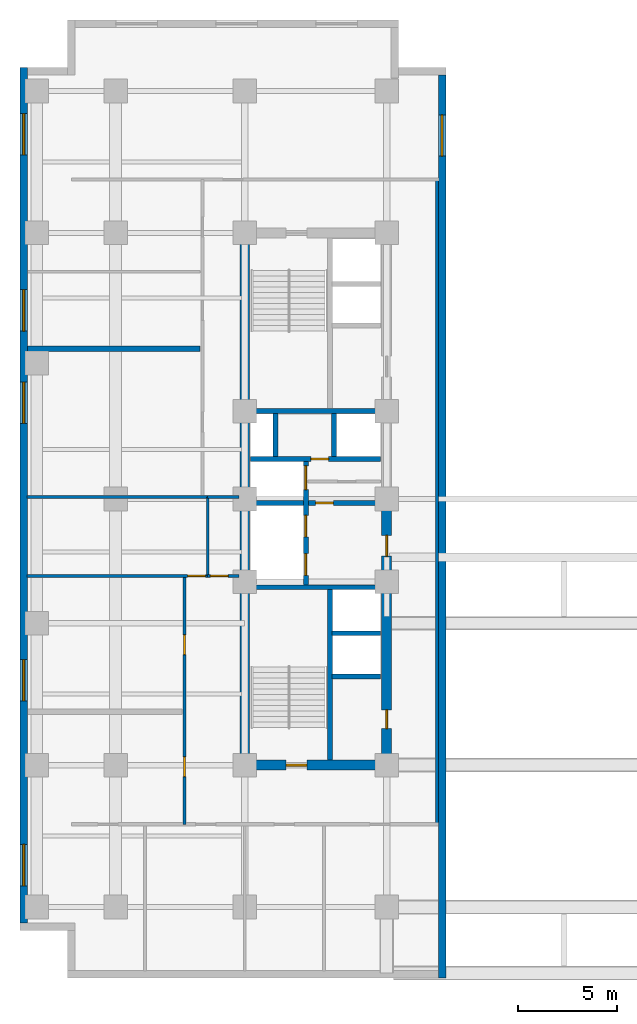
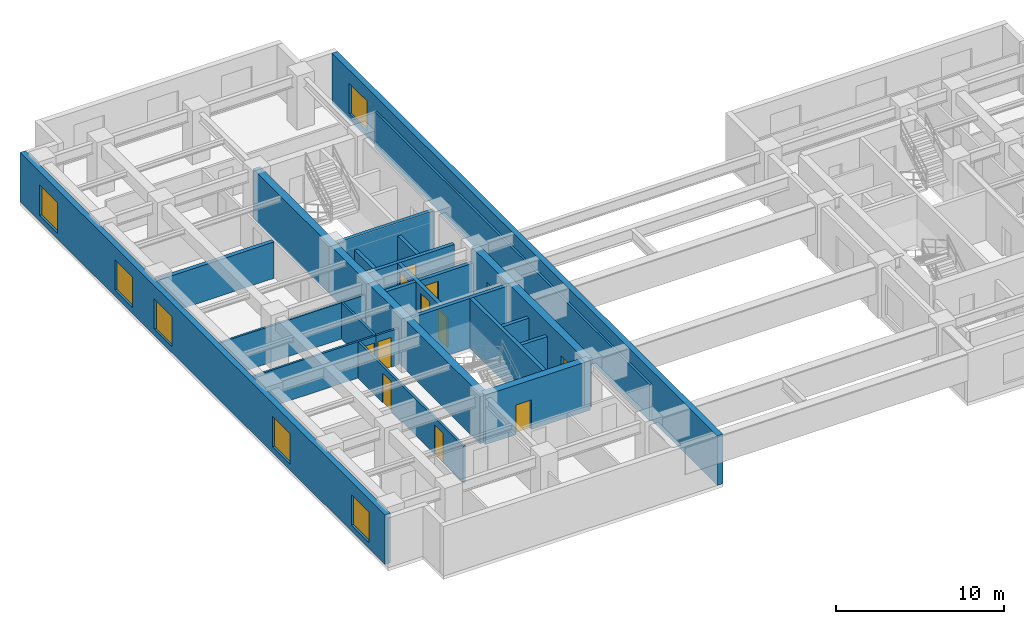
# One storey, part 3 of 9: 23 walls, 12 doors, 6 windows, 18 openings.
"""IFC4 building model written with IfcOpenShell, lengths in metres."""

import ifcopenshell
import ifcopenshell.guid

model = None  # the IFC model being written
_history = None  # IfcOwnerHistory: only IFC2X3 demands one
_inside = {}  # id of a spatial element -> (the spatial element, [elements in it])
_under = {}  # id of a project, library or spatial element -> (it, [spatial elements below it])
_declared = {}  # id of a project -> (the project, [libraries it declares])
_typed = {}  # id of a type object -> (the type object, [elements of that type])
_made_of = {}  # id of a material, layer set ... -> (it, [elements and type objects made of it])


def new_model(schema):
    """Start an empty IFC model of exactly this schema.

    Asked for "IFC4X3", IfcOpenShell would pick the latest addendum, in which some entities
    have other attributes; the version numbers below select the first issue.
    IFC2X3 requires an IfcOwnerHistory on every rooted entity: one is made here for all.
    """
    global model, _history
    if schema == "IFC4X3":
        model = ifcopenshell.file(schema_version=(4, 3, 0, 0))
    else:
        model = ifcopenshell.file(schema=schema)
    _inside.clear()
    _under.clear()
    _declared.clear()
    _typed.clear()
    _made_of.clear()
    _history = None
    if model.schema == "IFC2X3":
        org = make("IfcOrganization", Name="unknown")
        user = make(
            "IfcPersonAndOrganization",
            ThePerson=make("IfcPerson", FamilyName="unknown"),
            TheOrganization=org,
        )
        app = make(
            "IfcApplication",
            ApplicationDeveloper=org,
            Version="unknown",
            ApplicationFullName="unknown",
            ApplicationIdentifier="unknown",
        )
        _history = make(
            "IfcOwnerHistory",
            OwningUser=user,
            OwningApplication=app,
            ChangeAction="ADDED",
            CreationDate=0,
        )
    return model


def make(cls, **values):
    """One entity of the class cls with the attributes given. An attribute that is None is left unset."""
    return model.create_entity(
        cls, **{name: value for name, value in values.items() if value is not None}
    )


def entity(cls, *values):
    """Any entity or typed value of the class cls, its attributes in the order of the schema. None: left unset."""
    e = model.create_entity(cls)
    for i, value in enumerate(values):
        if value is not None:
            e[i] = value
    return e


def rooted(cls, **values):
    """An entity with a GlobalId (a new one), such as an element, a storey or a relation."""
    return make(cls, GlobalId=ifcopenshell.guid.new(), OwnerHistory=_history, **values)


def si_unit(unit_type, name, prefix=None):
    """IfcSIUnit, for example si_unit("LENGTHUNIT", "METRE", prefix="MILLI")."""
    return make("IfcSIUnit", UnitType=unit_type, Prefix=prefix, Name=name)


def converted_unit(unit_type, name, factor, base, dimensions=None, offset=None):
    """IfcConversionBasedUnit, such as the inch: factor (a typed value) times the base unit."""
    return make(
        "IfcConversionBasedUnit"
        if offset is None
        else "IfcConversionBasedUnitWithOffset",
        ConversionOffset=offset,
        Dimensions=None
        if dimensions is None
        else entity("IfcDimensionalExponents", *dimensions),
        UnitType=unit_type,
        Name=name,
        ConversionFactor=make(
            "IfcMeasureWithUnit", ValueComponent=factor, UnitComponent=base
        ),
    )


def assignment(units):
    """IfcUnitAssignment: the units of a project."""
    return None if units is None else make("IfcUnitAssignment", Units=units)


def point(xyz):
    """IfcCartesianPoint."""
    return None if xyz is None else make("IfcCartesianPoint", Coordinates=xyz)


def direction(xyz):
    """IfcDirection."""
    return None if xyz is None else make("IfcDirection", DirectionRatios=xyz)


def frame(location, z_axis=None, x_axis=None):
    """IfcAxis2Placement3D, a coordinate frame: its origin and axes. An axis left out is left unset."""
    return make(
        "IfcAxis2Placement3D",
        Location=point(location),
        Axis=direction(z_axis),
        RefDirection=direction(x_axis),
    )


def frame_2d(location, x_axis=None):
    """IfcAxis2Placement2D, a coordinate frame in the plane: its origin and x axis."""
    return make(
        "IfcAxis2Placement2D", Location=point(location), RefDirection=direction(x_axis)
    )


def origin_with_axes():
    """The frame at (0, 0, 0) with the z axis (0, 0, 1) and the x axis (1, 0, 0) written out."""
    return frame((0.0, 0.0, 0.0), z_axis=(0.0, 0.0, 1.0), x_axis=(1.0, 0.0, 0.0))


def origin_2d_with_axis():
    """The frame at (0, 0) in the plane with the x axis (1, 0) written out."""
    return frame_2d((0.0, 0.0), x_axis=(1.0, 0.0))


def place(relative_to, where):
    """IfcLocalPlacement: puts the frame where relative to a parent placement (None: the world)."""
    return make(
        "IfcLocalPlacement", PlacementRelTo=relative_to, RelativePlacement=where
    )


def context(
    kind, dimensions, precision=None, world=None, true_north=None, identifier=None
):
    """IfcGeometricRepresentationContext, for example the 3D "Model" context."""
    return make(
        "IfcGeometricRepresentationContext",
        ContextIdentifier=identifier,
        ContextType=kind,
        CoordinateSpaceDimension=dimensions,
        Precision=precision,
        WorldCoordinateSystem=world,
        TrueNorth=true_north,
    )


def subcontext(parent, identifier, kind, view, scale=None):
    """IfcGeometricRepresentationSubContext, for example "Body" below "Model"."""
    return make(
        "IfcGeometricRepresentationSubContext",
        ContextIdentifier=identifier,
        ContextType=kind,
        ParentContext=parent,
        TargetScale=scale,
        TargetView=view,
    )


def project(units=None, contexts=None):
    """IfcProject with its units and contexts."""
    return rooted(
        "IfcProject",
        Name="project",
        RepresentationContexts=contexts,
        UnitsInContext=assignment(units),
    )


def spatial(cls, under=None, at=None, **own):
    """A site, building, storey or space (cls), placed at a placement, below another one or the project."""
    s = rooted(cls, ObjectPlacement=at, **own)
    if under is not None:
        _under.setdefault(under.id(), (under, []))[1].append(s)
    return s


def polyline(points):
    """IfcPolyline through the points."""
    return make("IfcPolyline", Points=[point(p) for p in points])


def profile(cls, at=None, kind="AREA", **sizes):
    """A parametric profile (cls). Its sizes go by their IFC names, for example OverallWidth=200.0."""
    return make(cls, ProfileType=kind, Position=at, **sizes)


def rectangle(**sizes):
    """IfcRectangleProfileDef."""
    return profile("IfcRectangleProfileDef", **sizes)


def outline(outer, holes=None, kind="AREA"):
    """IfcArbitraryClosedProfileDef: a profile drawn as a closed curve; with holes, ...WithVoids."""
    if holes is None:
        return make("IfcArbitraryClosedProfileDef", ProfileType=kind, OuterCurve=outer)
    return make(
        "IfcArbitraryProfileDefWithVoids",
        ProfileType=kind,
        OuterCurve=outer,
        InnerCurves=holes,
    )


def extrude(swept, where, along, depth):
    """IfcExtrudedAreaSolid: the profile swept, set in the frame where, extruded along a direction by depth."""
    return make(
        "IfcExtrudedAreaSolid",
        SweptArea=swept,
        Position=where,
        ExtrudedDirection=direction(along),
        Depth=depth,
    )


def shape(context_of_items, identifier, shape_type, items):
    """IfcShapeRepresentation: the items that make up one representation, for example the "Body"."""
    return make(
        "IfcShapeRepresentation",
        ContextOfItems=context_of_items,
        RepresentationIdentifier=identifier,
        RepresentationType=shape_type,
        Items=items,
    )


def material(Name=None, Category=None):
    """IfcMaterial."""
    return make("IfcMaterial", Name=Name, Category=Category)


def layer(
    of_material, thickness, ventilated=None, Name=None, Category=None, Priority=None
):
    """IfcMaterialLayer: one layer of a wall or slab, of a material (None: an air gap)."""
    return make(
        "IfcMaterialLayer",
        Material=of_material,
        LayerThickness=thickness,
        IsVentilated=ventilated,
        Name=Name,
        Category=Category,
        Priority=Priority,
    )


def layer_set(layers, Name=None):
    """IfcMaterialLayerSet."""
    return make("IfcMaterialLayerSet", MaterialLayers=layers, LayerSetName=Name)


def made_of(thing, what):
    """Note that an element or type object is made of a material, layer set ...; save() writes the relation."""
    if what is not None:
        _made_of.setdefault(what.id(), (what, []))[1].append(thing)
    return thing


def type_object(cls, material=None, **own):
    """A type object (cls), such as IfcWallType, which elements share."""
    return made_of(rooted(cls, **own), material)


def element(
    cls,
    number,
    at=None,
    inside=None,
    cuts=None,
    type_object=None,
    material=None,
    context=None,
    identifier="Body",
    shape_type=None,
    held_by="IfcProductDefinitionShape",
    body=None,
    shapes=None,
    **own,
):
    """One element of the class cls, such as IfcWall. Its Tag is "e" and its number.

    at: its placement. inside: the storey or other place that contains it. cuts: it is an
    opening in that element (IfcRelVoidsElement). A single representation is given by context,
    identifier, shape_type and body (its items); several are given by shapes. held_by: the class
    of the entity that holds the representations. save() writes the other relations.
    """
    e = rooted(cls, Tag="e%d" % number, ObjectPlacement=at, **own)
    if body is not None:
        shapes = [shape(context, identifier, shape_type, body)]
    if shapes is not None:
        e.Representation = make(held_by, Representations=shapes)
    if inside is not None:
        _inside.setdefault(inside.id(), (inside, []))[1].append(e)
    if cuts is not None:
        rooted(
            "IfcRelVoidsElement", RelatingBuildingElement=cuts, RelatedOpeningElement=e
        )
    if type_object is not None:
        _typed.setdefault(type_object.id(), (type_object, []))[1].append(e)
    return made_of(e, material)


def fill(opening, filler):
    """IfcRelFillsElement: the door or window that sits in an opening."""
    return rooted(
        "IfcRelFillsElement",
        RelatingOpeningElement=opening,
        RelatedBuildingElement=filler,
    )


def aggregate(whole, parts):
    """IfcRelAggregates: a whole, such as a stair, and the parts it consists of."""
    return rooted("IfcRelAggregates", RelatingObject=whole, RelatedObjects=parts)


def save(model, path):
    """Write the relations noted so far, then the file.

    IfcRelAggregates (storeys below a building ...), IfcRelContainedInSpatialStructure (elements
    in a storey), IfcRelDefinesByType, IfcRelAssociatesMaterial and IfcRelDeclares: one each for
    every whole, place, type object, material and project.
    """
    for whole, parts in _under.values():
        aggregate(whole, parts)
    for where, things in _inside.values():
        rooted(
            "IfcRelContainedInSpatialStructure",
            RelatedElements=things,
            RelatingStructure=where,
        )
    for kind, things in _typed.values():
        rooted("IfcRelDefinesByType", RelatedObjects=things, RelatingType=kind)
    for what, things in _made_of.values():
        rooted("IfcRelAssociatesMaterial", RelatedObjects=things, RelatingMaterial=what)
    for by, libraries in _declared.values():
        rooted("IfcRelDeclares", RelatingContext=by, RelatedDefinitions=libraries)
    model.write(path)


model = new_model("IFC4")

# Units and contexts
model_context = context("Model", 3, precision=1e-05, world=origin_with_axes(), true_north=direction((0.0, 1.0)))
body_context = subcontext(model_context, "Body", "Model", "MODEL_VIEW")
ifc_project = project(units=[si_unit("LENGTHUNIT", "METRE"), si_unit("AREAUNIT", "SQUARE_METRE"), si_unit("VOLUMEUNIT", "CUBIC_METRE"), converted_unit("PLANEANGLEUNIT", "DEGREE", entity("IfcPlaneAngleMeasure", 0.017453292519943295), si_unit("PLANEANGLEUNIT", "RADIAN"), dimensions=[0, 0, 0, 0, 0, 0, 0]), si_unit("MASSUNIT", "GRAM", prefix="KILO"), si_unit("THERMODYNAMICTEMPERATUREUNIT", "KELVIN")], contexts=[model_context])

# Site, building, storey
site_placement = place(None, origin_with_axes())
site = spatial("IfcSite", under=ifc_project, at=site_placement, CompositionType="ELEMENT")
building_placement = place(site_placement, origin_with_axes())
building = spatial("IfcBuilding", under=site, at=building_placement, Name="Varnlund Millrace Tower", CompositionType="ELEMENT")
storey_placement = place(building_placement, frame((0.0, 0.0, 120.3), z_axis=(0.0, 0.0, 1.0), x_axis=(1.0, 0.0, 0.0)))
storey = spatial("IfcBuildingStorey", under=building, at=storey_placement, Name="L29", CompositionType="ELEMENT", Elevation=120.3)

# Wall
ifc_material_1 = material(Name="Concrete C70/85", Category="concrete")
ifc_layer_1 = layer(ifc_material_1, 0.5, Name="Concrete C70/85")
ifc_layer_set_1 = layer_set([ifc_layer_1], Name="Concrete C70/85")
wall_type_1 = type_object("IfcWallType", Name="Type-CoreWall-Shear-500-C70", PredefinedType="SHEAR", material=ifc_layer_set_1)
wall_1_placement = place(storey_placement, frame((11.4, 10.8, 0.0), z_axis=(0.0, 0.0, 1.0), x_axis=(0.0, 1.0, 0.0)))
element("IfcWall", 1, at=wall_1_placement, inside=storey, type_object=wall_type_1, Name="Type-CoreWall-Shear-500-C70", PredefinedType="SHEAR", context=body_context, shape_type="SweptSolid", body=[
    extrude(outline(polyline([(0.0, -0.25), (27.0, -0.25), (27.0, 0.25), (0.0, 0.25), (0.0, -0.25)])), origin_with_axes(), (0.0, 0.0, 1.0), 3.6),
])

# Wall, opening, door
wall_2_placement = place(storey_placement, frame((11.4, 10.8, 0.0), z_axis=(0.0, 0.0, 1.0), x_axis=(1.0, 0.0, 0.0)))
wall_2 = element("IfcWall", 2, at=wall_2_placement, inside=storey, type_object=wall_type_1, Name="Type-CoreWall-Shear-500-C70", PredefinedType="SHEAR", context=body_context, shape_type="SweptSolid", body=[
    extrude(outline(polyline([(0.0, -0.25), (7.2, -0.25), (7.2, 0.25), (0.0, 0.25), (0.0, -0.25)])), origin_with_axes(), (0.0, 0.0, 1.0), 3.6),
])
opening_1_placement = place(wall_2_placement, frame((2.625, 0.0, 0.0), z_axis=(0.0, 0.0, 1.0), x_axis=(1.0, 0.0, 0.0)))
opening_1 = element("IfcOpeningElement", 3, at=opening_1_placement, cuts=wall_2, Name="Opening L29:DR-STA1", PredefinedType="OPENING", context=body_context, shape_type="SweptSolid", body=[
    extrude(rectangle(XDim=1.05, YDim=0.52, at=origin_2d_with_axis()), origin_with_axes(), (0.0, 0.0, 1.0), 2.15),
])
ifc_material_2 = material(Name="Fire-rated hollow steel door", Category="steel")
door_type_1 = type_object("IfcDoorType", Name="Type-FireDoor-Stair-1050X2150", OperationType="NOTDEFINED", PredefinedType="DOOR", material=ifc_material_2)
door_1_placement = place(wall_2_placement, frame((2.625, 0.0, 0.0), z_axis=(0.0, 0.0, 1.0), x_axis=(1.0, 0.0, 0.0)))
door_1 = element("IfcDoor", 4, at=door_1_placement, inside=storey, type_object=door_type_1, Name="Type-FireDoor-Stair-1050X2150", OperationType="SINGLE_SWING_LEFT", OverallHeight=2.15, OverallWidth=1.05, PredefinedType="DOOR", context=body_context, shape_type="SweptSolid", body=[
    extrude(rectangle(XDim=1.05, YDim=0.09, at=origin_2d_with_axis()), origin_with_axes(), (0.0, 0.0, 1.0), 2.15),
])
fill(opening_1, door_1)

# Wall, openings, doors
wall_3_placement = place(storey_placement, frame((18.6, 10.8, 0.0), z_axis=(0.0, 0.0, 1.0), x_axis=(0.0, 1.0, 0.0)))
wall_3 = element("IfcWall", 5, at=wall_3_placement, inside=storey, type_object=wall_type_1, Name="Type-CoreWall-Shear-500-C70", PredefinedType="SHEAR", context=body_context, shape_type="SweptSolid", body=[
    extrude(outline(polyline([(0.0, -0.25), (13.5, -0.25), (13.5, 0.25), (0.0, 0.25), (0.0, -0.25)])), origin_with_axes(), (0.0, 0.0, 1.0), 3.6),
])
opening_2_placement = place(wall_3_placement, frame((11.125, 0.0, 0.0), z_axis=(0.0, 0.0, 1.0), x_axis=(1.0, 0.0, 0.0)))
opening_2 = element("IfcOpeningElement", 6, at=opening_2_placement, cuts=wall_3, Name="Opening L29:DR-FFLOB-A", PredefinedType="OPENING", context=body_context, shape_type="SweptSolid", body=[
    extrude(rectangle(XDim=1.05, YDim=0.52, at=origin_2d_with_axis()), origin_with_axes(), (0.0, 0.0, 1.0), 2.15),
])
opening_3_placement = place(wall_3_placement, frame((2.325, 0.0, 0.0), z_axis=(0.0, 0.0, 1.0), x_axis=(1.0, 0.0, 0.0)))
opening_3 = element("IfcOpeningElement", 7, at=opening_3_placement, cuts=wall_3, Name="Opening L29:DR-RECL-B1", PredefinedType="OPENING", context=body_context, shape_type="SweptSolid", body=[
    extrude(rectangle(XDim=0.95, YDim=0.52, at=origin_2d_with_axis()), origin_with_axes(), (0.0, 0.0, 1.0), 2.15),
])
ifc_material_3 = material(Name="Smoke-barrier hollow steel fire door", Category="steel")
door_type_2 = type_object("IfcDoorType", Name="Type-FireDoor-Lobby-1050X2150", OperationType="NOTDEFINED", PredefinedType="DOOR", material=ifc_material_3)
door_2_placement = place(wall_3_placement, frame((11.125, 0.0, 0.0), z_axis=(0.0, 0.0, 1.0), x_axis=(1.0, 0.0, 0.0)))
door_2 = element("IfcDoor", 8, at=door_2_placement, inside=storey, type_object=door_type_2, Name="Type-FireDoor-Lobby-1050X2150", OperationType="SINGLE_SWING_LEFT", OverallHeight=2.15, OverallWidth=1.05, PredefinedType="DOOR", context=body_context, shape_type="SweptSolid", body=[
    extrude(rectangle(XDim=1.05, YDim=0.09, at=origin_2d_with_axis()), origin_with_axes(), (0.0, 0.0, 1.0), 2.15),
])
fill(opening_2, door_2)
ifc_material_4 = material(Name="Fire-rated hollow steel core service door", Category="steel")
door_type_3 = type_object("IfcDoorType", Name="Type-FireDoor-Service-950X2150", OperationType="NOTDEFINED", PredefinedType="DOOR", material=ifc_material_4)
door_3_placement = place(wall_3_placement, frame((2.325, 0.0, 0.0), z_axis=(0.0, 0.0, 1.0), x_axis=(1.0, 0.0, 0.0)))
door_3 = element("IfcDoor", 9, at=door_3_placement, inside=storey, type_object=door_type_3, Name="Type-FireDoor-Service-950X2150", OperationType="SINGLE_SWING_LEFT", OverallHeight=2.15, OverallWidth=0.95, PredefinedType="DOOR", context=body_context, shape_type="SweptSolid", body=[
    extrude(rectangle(XDim=0.95, YDim=0.09, at=origin_2d_with_axis()), origin_with_axes(), (0.0, 0.0, 1.0), 2.15),
])
fill(opening_3, door_3)

# Wall, openings, windows
ifc_material_5 = material(Name="Precast concrete C50/60", Category="concrete")
ifc_layer_2 = layer(ifc_material_5, 0.38, Name="Precast concrete C50/60")
ifc_layer_set_2 = layer_set([ifc_layer_2], Name="Precast concrete C50/60")
wall_type_2 = type_object("IfcWallType", Name="Type-ExtWall-Precast-Tube-380", PredefinedType="SOLIDWALL", material=ifc_layer_set_2)
wall_4_placement = place(storey_placement, frame((0.19, 2.78, 0.0), z_axis=(0.0, 0.0, 1.0), x_axis=(0.0, 1.0, 0.0)))
wall_4 = element("IfcWall", 10, at=wall_4_placement, inside=storey, type_object=wall_type_2, Name="Type-ExtWall-Precast-Tube-380", PredefinedType="SOLIDWALL", context=body_context, shape_type="SweptSolid", body=[
    extrude(outline(polyline([(0.0, -0.19), (43.42, -0.19), (43.42, 0.19), (0.0, 0.19), (0.0, -0.19)])), origin_with_axes(), (0.0, 0.0, 1.0), 3.6),
])
opening_4_placement = place(wall_4_placement, frame((2.946, 0.0, 0.45), z_axis=(0.0, 0.0, 1.0), x_axis=(1.0, 0.0, 0.0)))
opening_4 = element("IfcOpeningElement", 11, at=opening_4_placement, cuts=wall_4, Name="Opening L29:WN-01", PredefinedType="OPENING", context=body_context, shape_type="SweptSolid", body=[
    extrude(rectangle(XDim=2.1, YDim=0.4, at=origin_2d_with_axis()), origin_with_axes(), (0.0, 0.0, 1.0), 2.2),
])
opening_5_placement = place(wall_4_placement, frame((12.328, 0.0, 0.45), z_axis=(0.0, 0.0, 1.0), x_axis=(1.0, 0.0, 0.0)))
opening_5 = element("IfcOpeningElement", 12, at=opening_5_placement, cuts=wall_4, Name="Opening L29:WN-02", PredefinedType="OPENING", context=body_context, shape_type="SweptSolid", body=[
    extrude(rectangle(XDim=2.1, YDim=0.4, at=origin_2d_with_axis()), origin_with_axes(), (0.0, 0.0, 1.0), 2.2),
])
opening_6_placement = place(wall_4_placement, frame((26.401, 0.0, 0.45), z_axis=(0.0, 0.0, 1.0), x_axis=(1.0, 0.0, 0.0)))
opening_6 = element("IfcOpeningElement", 13, at=opening_6_placement, cuts=wall_4, Name="Opening L29:WN-03", PredefinedType="OPENING", context=body_context, shape_type="SweptSolid", body=[
    extrude(rectangle(XDim=2.1, YDim=0.4, at=origin_2d_with_axis()), origin_with_axes(), (0.0, 0.0, 1.0), 2.2),
])
opening_7_placement = place(wall_4_placement, frame((31.092, 0.0, 0.45), z_axis=(0.0, 0.0, 1.0), x_axis=(1.0, 0.0, 0.0)))
opening_7 = element("IfcOpeningElement", 14, at=opening_7_placement, cuts=wall_4, Name="Opening L29:WN-04", PredefinedType="OPENING", context=body_context, shape_type="SweptSolid", body=[
    extrude(rectangle(XDim=2.1, YDim=0.4, at=origin_2d_with_axis()), origin_with_axes(), (0.0, 0.0, 1.0), 2.2),
])
opening_8_placement = place(wall_4_placement, frame((40.024, 0.0, 0.45), z_axis=(0.0, 0.0, 1.0), x_axis=(1.0, 0.0, 0.0)))
opening_8 = element("IfcOpeningElement", 15, at=opening_8_placement, cuts=wall_4, Name="Opening L29:WN-05", PredefinedType="OPENING", context=body_context, shape_type="SweptSolid", body=[
    extrude(rectangle(XDim=2.1, YDim=0.4, at=origin_2d_with_axis()), origin_with_axes(), (0.0, 0.0, 1.0), 2.2),
])
ifc_material_6 = material(Name="Argon low-e triple glazing in thermally broken bronze frame", Category="glass")
window_type = type_object("IfcWindowType", Name="Type-Window-Punched-2100X2200", PartitioningType="SINGLE_PANEL", PredefinedType="WINDOW", material=ifc_material_6)
window_1_placement = place(wall_4_placement, frame((2.946, 0.0, 0.45), z_axis=(0.0, 0.0, 1.0), x_axis=(1.0, 0.0, 0.0)))
window_1 = element("IfcWindow", 16, at=window_1_placement, inside=storey, type_object=window_type, Name="Type-Window-Punched-2100X2200", OverallHeight=2.2, OverallWidth=2.1, PredefinedType="WINDOW", context=body_context, shape_type="SweptSolid", body=[
    extrude(rectangle(XDim=2.1, YDim=0.09, at=origin_2d_with_axis()), origin_with_axes(), (0.0, 0.0, 1.0), 2.2),
])
fill(opening_4, window_1)
window_2_placement = place(wall_4_placement, frame((12.328, 0.0, 0.45), z_axis=(0.0, 0.0, 1.0), x_axis=(1.0, 0.0, 0.0)))
window_2 = element("IfcWindow", 17, at=window_2_placement, inside=storey, type_object=window_type, Name="Type-Window-Punched-2100X2200", OverallHeight=2.2, OverallWidth=2.1, PredefinedType="WINDOW", context=body_context, shape_type="SweptSolid", body=[
    extrude(rectangle(XDim=2.1, YDim=0.09, at=origin_2d_with_axis()), origin_with_axes(), (0.0, 0.0, 1.0), 2.2),
])
fill(opening_5, window_2)
window_3_placement = place(wall_4_placement, frame((26.401, 0.0, 0.45), z_axis=(0.0, 0.0, 1.0), x_axis=(1.0, 0.0, 0.0)))
window_3 = element("IfcWindow", 18, at=window_3_placement, inside=storey, type_object=window_type, Name="Type-Window-Punched-2100X2200", OverallHeight=2.2, OverallWidth=2.1, PredefinedType="WINDOW", context=body_context, shape_type="SweptSolid", body=[
    extrude(rectangle(XDim=2.1, YDim=0.09, at=origin_2d_with_axis()), origin_with_axes(), (0.0, 0.0, 1.0), 2.2),
])
fill(opening_6, window_3)
window_4_placement = place(wall_4_placement, frame((31.092, 0.0, 0.45), z_axis=(0.0, 0.0, 1.0), x_axis=(1.0, 0.0, 0.0)))
window_4 = element("IfcWindow", 19, at=window_4_placement, inside=storey, type_object=window_type, Name="Type-Window-Punched-2100X2200", OverallHeight=2.2, OverallWidth=2.1, PredefinedType="WINDOW", context=body_context, shape_type="SweptSolid", body=[
    extrude(rectangle(XDim=2.1, YDim=0.09, at=origin_2d_with_axis()), origin_with_axes(), (0.0, 0.0, 1.0), 2.2),
])
fill(opening_7, window_4)
window_5_placement = place(wall_4_placement, frame((40.024, 0.0, 0.45), z_axis=(0.0, 0.0, 1.0), x_axis=(1.0, 0.0, 0.0)))
window_5 = element("IfcWindow", 20, at=window_5_placement, inside=storey, type_object=window_type, Name="Type-Window-Punched-2100X2200", OverallHeight=2.2, OverallWidth=2.1, PredefinedType="WINDOW", context=body_context, shape_type="SweptSolid", body=[
    extrude(rectangle(XDim=2.1, YDim=0.09, at=origin_2d_with_axis()), origin_with_axes(), (0.0, 0.0, 1.0), 2.2),
])
fill(opening_8, window_5)

# Wall, opening, window
wall_5_placement = place(storey_placement, frame((21.41, 45.82, 0.0), z_axis=(0.0, 0.0, 1.0), x_axis=(0.0, -1.0, 0.0)))
wall_5 = element("IfcWall", 21, at=wall_5_placement, inside=storey, type_object=wall_type_2, Name="Type-ExtWall-Precast-Tube-380", PredefinedType="SOLIDWALL", context=body_context, shape_type="SweptSolid", body=[
    extrude(outline(polyline([(0.0, -0.19), (45.82, -0.19), (45.82, 0.19), (0.0, 0.19), (0.0, -0.19)])), origin_with_axes(), (0.0, 0.0, 1.0), 3.6),
])
opening_9_placement = place(wall_5_placement, frame((3.079, 0.0, 0.45), z_axis=(0.0, 0.0, 1.0), x_axis=(1.0, 0.0, 0.0)))
opening_9 = element("IfcOpeningElement", 22, at=opening_9_placement, cuts=wall_5, Name="Opening L29:WN-09", PredefinedType="OPENING", context=body_context, shape_type="SweptSolid", body=[
    extrude(rectangle(XDim=2.1, YDim=0.4, at=origin_2d_with_axis()), origin_with_axes(), (0.0, 0.0, 1.0), 2.2),
])
window_6_placement = place(wall_5_placement, frame((3.079, 0.0, 0.45), z_axis=(0.0, 0.0, 1.0), x_axis=(1.0, 0.0, 0.0)))
window_6 = element("IfcWindow", 23, at=window_6_placement, inside=storey, type_object=window_type, Name="Type-Window-Punched-2100X2200", OverallHeight=2.2, OverallWidth=2.1, PredefinedType="WINDOW", context=body_context, shape_type="SweptSolid", body=[
    extrude(rectangle(XDim=2.1, YDim=0.09, at=origin_2d_with_axis()), origin_with_axes(), (0.0, 0.0, 1.0), 2.2),
])
fill(opening_9, window_6)

# Walls
ifc_material_7 = material(Name="Double-stud STC-60 conference acoustic partition", Category="gypsum")
ifc_layer_3 = layer(ifc_material_7, 0.28, Name="Double-stud STC-60 conference acoustic partition")
ifc_layer_set_3 = layer_set([ifc_layer_3], Name="Double-stud STC-60 conference acoustic partition")
wall_type_3 = type_object("IfcWallType", Name="Type-Partition-Acoustic-280", PredefinedType="PARTITIONING", material=ifc_layer_set_3)
wall_6_placement = place(storey_placement, frame((0.375, 31.929, 0.0), z_axis=(0.0, 0.0, 1.0), x_axis=(1.0, 0.0, 0.0)))
element("IfcWall", 24, at=wall_6_placement, inside=storey, type_object=wall_type_3, Name="Type-Partition-Acoustic-280", PredefinedType="PARTITIONING", context=body_context, shape_type="SweptSolid", body=[
    extrude(outline(polyline([(0.0, -0.14), (8.755, -0.14), (8.755, 0.14), (0.0, 0.14), (0.0, -0.14)])), origin_with_axes(), (0.0, 0.0, 1.0), 2.64),
])
ifc_material_8 = material(Name="Fire-rated gypsum board on cold-formed steel framing", Category="steel")
ifc_layer_4 = layer(ifc_material_8, 0.16, Name="Fire-rated gypsum board on cold-formed steel framing")
ifc_layer_set_4 = layer_set([ifc_layer_4], Name="Fire-rated gypsum board on cold-formed steel framing")
wall_type_4 = type_object("IfcWallType", Name="Type-Partition-Corridor-160", PredefinedType="PARTITIONING", material=ifc_layer_set_4)
wall_7_placement = place(storey_placement, frame((21.15, 7.8, 0.0), z_axis=(0.0, 0.0, 1.0), x_axis=(0.0, 1.0, 0.0)))
element("IfcWall", 25, at=wall_7_placement, inside=storey, type_object=wall_type_4, Name="Type-Partition-Corridor-160", PredefinedType="PARTITIONING", context=body_context, shape_type="SweptSolid", body=[
    extrude(outline(polyline([(0.0, -0.08), (32.7, -0.08), (32.7, 0.08), (0.0, 0.08), (0.0, -0.08)])), origin_with_axes(), (0.0, 0.0, 1.0), 2.64),
])

# Wall, openings, doors
wall_8_placement = place(storey_placement, frame((8.35, 7.8, 0.0), z_axis=(0.0, 0.0, 1.0), x_axis=(0.0, 1.0, 0.0)))
wall_8 = element("IfcWall", 26, at=wall_8_placement, inside=storey, type_object=wall_type_4, Name="Type-Partition-Corridor-160", PredefinedType="PARTITIONING", context=body_context, shape_type="SweptSolid", body=[
    extrude(outline(polyline([(0.0, -0.08), (12.6, -0.08), (12.6, 0.08), (0.0, 0.08), (0.0, -0.08)])), origin_with_axes(), (0.0, 0.0, 1.0), 2.64),
])
opening_10_placement = place(wall_8_placement, frame((2.9145, 0.0, 0.0), z_axis=(0.0, 0.0, 1.0), x_axis=(1.0, 0.0, 0.0)))
opening_10 = element("IfcOpeningElement", 27, at=opening_10_placement, cuts=wall_8, Name="Opening L29:DR-WS-01", PredefinedType="OPENING", context=body_context, shape_type="SweptSolid", body=[
    extrude(rectangle(XDim=1.0, YDim=0.18, at=origin_2d_with_axis()), origin_with_axes(), (0.0, 0.0, 1.0), 2.15),
])
opening_11_placement = place(wall_8_placement, frame((9.1095, 0.0, 0.0), z_axis=(0.0, 0.0, 1.0), x_axis=(1.0, 0.0, 0.0)))
opening_11 = element("IfcOpeningElement", 28, at=opening_11_placement, cuts=wall_8, Name="Opening L29:DR-WS-02", PredefinedType="OPENING", context=body_context, shape_type="SweptSolid", body=[
    extrude(rectangle(XDim=1.0, YDim=0.18, at=origin_2d_with_axis()), origin_with_axes(), (0.0, 0.0, 1.0), 2.15),
])
ifc_material_9 = material(Name="Solid-core white oak and bronze frame door")
door_type_4 = type_object("IfcDoorType", Name="Type-IntDoor-Office-1000X2150", OperationType="NOTDEFINED", PredefinedType="DOOR", material=ifc_material_9)
door_4_placement = place(wall_8_placement, frame((2.9145, 0.0, 0.0), z_axis=(0.0, 0.0, 1.0), x_axis=(1.0, 0.0, 0.0)))
door_4 = element("IfcDoor", 29, at=door_4_placement, inside=storey, type_object=door_type_4, Name="Type-IntDoor-Office-1000X2150", OperationType="SINGLE_SWING_LEFT", OverallHeight=2.15, OverallWidth=1.0, PredefinedType="DOOR", context=body_context, shape_type="SweptSolid", body=[
    extrude(rectangle(XDim=1.0, YDim=0.09, at=origin_2d_with_axis()), origin_with_axes(), (0.0, 0.0, 1.0), 2.15),
])
fill(opening_10, door_4)
door_5_placement = place(wall_8_placement, frame((9.1095, 0.0, 0.0), z_axis=(0.0, 0.0, 1.0), x_axis=(1.0, 0.0, 0.0)))
door_5 = element("IfcDoor", 30, at=door_5_placement, inside=storey, type_object=door_type_4, Name="Type-IntDoor-Office-1000X2150", OperationType="SINGLE_SWING_RIGHT", OverallHeight=2.15, OverallWidth=1.0, PredefinedType="DOOR", context=body_context, shape_type="SweptSolid", body=[
    extrude(rectangle(XDim=1.0, YDim=0.09, at=origin_2d_with_axis()), origin_with_axes(), (0.0, 0.0, 1.0), 2.15),
])
fill(opening_11, door_5)

# Wall
ifc_material_10 = material(Name="Moisture-resistant gypsum restroom partition", Category="gypsum")
ifc_layer_5 = layer(ifc_material_10, 0.14, Name="Moisture-resistant gypsum restroom partition")
ifc_layer_set_5 = layer_set([ifc_layer_5], Name="Moisture-resistant gypsum restroom partition")
wall_type_5 = type_object("IfcWallType", Name="Type-Partition-Wet-140", PredefinedType="PARTITIONING", material=ifc_layer_set_5)
wall_9_placement = place(storey_placement, frame((9.52, 20.4, 0.0), z_axis=(0.0, 0.0, 1.0), x_axis=(0.0, 1.0, 0.0)))
element("IfcWall", 31, at=wall_9_placement, inside=storey, type_object=wall_type_5, Name="Type-Partition-Wet-140", PredefinedType="PARTITIONING", context=body_context, shape_type="SweptSolid", body=[
    extrude(outline(polyline([(0.0, -0.07), (4.0, -0.07), (4.0, 0.07), (0.0, 0.07), (0.0, -0.07)])), origin_with_axes(), (0.0, 0.0, 1.0), 2.64),
])

# Wall, opening, door
wall_10_placement = place(storey_placement, frame((9.52, 20.4, 0.0), z_axis=(0.0, 0.0, 1.0), x_axis=(1.0, 0.0, 0.0)))
wall_10 = element("IfcWall", 32, at=wall_10_placement, inside=storey, type_object=wall_type_5, Name="Type-Partition-Wet-140", PredefinedType="PARTITIONING", context=body_context, shape_type="SweptSolid", body=[
    extrude(outline(polyline([(0.0, -0.07), (1.58, -0.07), (1.58, 0.07), (0.0, 0.07), (0.0, -0.07)])), origin_with_axes(), (0.0, 0.0, 1.0), 2.64),
])
opening_12_placement = place(wall_10_placement, frame((0.59, 0.0, 0.0), z_axis=(0.0, 0.0, 1.0), x_axis=(1.0, 0.0, 0.0)))
opening_12 = element("IfcOpeningElement", 33, at=opening_12_placement, cuts=wall_10, Name="Opening L29:DR-CA-WCW", PredefinedType="OPENING", context=body_context, shape_type="SweptSolid", body=[
    extrude(rectangle(XDim=0.9, YDim=0.16, at=origin_2d_with_axis()), origin_with_axes(), (0.0, 0.0, 1.0), 2.15),
])
ifc_material_11 = material(Name="Painted steel riser and closet door", Category="steel")
door_type_5 = type_object("IfcDoorType", Name="Type-IntDoor-Closet-900X2150", OperationType="NOTDEFINED", PredefinedType="DOOR", material=ifc_material_11)
door_6_placement = place(wall_10_placement, frame((0.59, 0.0, 0.0), z_axis=(0.0, 0.0, 1.0), x_axis=(1.0, 0.0, 0.0)))
door_6 = element("IfcDoor", 34, at=door_6_placement, inside=storey, type_object=door_type_5, Name="Type-IntDoor-Closet-900X2150", OperationType="SINGLE_SWING_LEFT", OverallHeight=2.15, OverallWidth=0.9, PredefinedType="DOOR", context=body_context, shape_type="SweptSolid", body=[
    extrude(rectangle(XDim=0.9, YDim=0.084, at=origin_2d_with_axis()), origin_with_axes(), (0.0, 0.0, 1.0), 2.15),
])
fill(opening_12, door_6)

# Wall
wall_11_placement = place(storey_placement, frame((9.52, 24.4, 0.0), z_axis=(0.0, 0.0, 1.0), x_axis=(1.0, 0.0, 0.0)))
element("IfcWall", 35, at=wall_11_placement, inside=storey, type_object=wall_type_5, Name="Type-Partition-Wet-140", PredefinedType="PARTITIONING", context=body_context, shape_type="SweptSolid", body=[
    extrude(outline(polyline([(0.0, -0.07), (1.58, -0.07), (1.58, 0.07), (0.0, 0.07), (0.0, -0.07)])), origin_with_axes(), (0.0, 0.0, 1.0), 2.64),
])

# Wall, opening, door
wall_12_placement = place(storey_placement, frame((0.36, 20.4, 0.0), z_axis=(0.0, 0.0, 1.0), x_axis=(1.0, 0.0, 0.0)))
wall_12 = element("IfcWall", 36, at=wall_12_placement, inside=storey, type_object=wall_type_5, Name="Type-Partition-Wet-140", PredefinedType="PARTITIONING", context=body_context, shape_type="SweptSolid", body=[
    extrude(outline(polyline([(0.0, -0.07), (9.16, -0.07), (9.16, 0.07), (0.0, 0.07), (0.0, -0.07)])), origin_with_axes(), (0.0, 0.0, 1.0), 2.64),
])
opening_13_placement = place(wall_12_placement, frame((8.59, 0.0, 0.0), z_axis=(0.0, 0.0, 1.0), x_axis=(1.0, 0.0, 0.0)))
opening_13 = element("IfcOpeningElement", 37, at=opening_13_placement, cuts=wall_12, Name="Opening L29:DR-W-MIDR", PredefinedType="OPENING", context=body_context, shape_type="SweptSolid", body=[
    extrude(rectangle(XDim=0.9, YDim=0.16, at=origin_2d_with_axis()), origin_with_axes(), (0.0, 0.0, 1.0), 2.15),
])
door_7_placement = place(wall_12_placement, frame((8.59, 0.0, 0.0), z_axis=(0.0, 0.0, 1.0), x_axis=(1.0, 0.0, 0.0)))
door_7 = element("IfcDoor", 38, at=door_7_placement, inside=storey, type_object=door_type_5, Name="Type-IntDoor-Closet-900X2150", OperationType="SINGLE_SWING_LEFT", OverallHeight=2.15, OverallWidth=0.9, PredefinedType="DOOR", context=body_context, shape_type="SweptSolid", body=[
    extrude(rectangle(XDim=0.9, YDim=0.084, at=origin_2d_with_axis()), origin_with_axes(), (0.0, 0.0, 1.0), 2.15),
])
fill(opening_13, door_7)

# Wall
wall_13_placement = place(storey_placement, frame((0.36, 24.4, 0.0), z_axis=(0.0, 0.0, 1.0), x_axis=(1.0, 0.0, 0.0)))
element("IfcWall", 39, at=wall_13_placement, inside=storey, type_object=wall_type_5, Name="Type-Partition-Wet-140", PredefinedType="PARTITIONING", context=body_context, shape_type="SweptSolid", body=[
    extrude(outline(polyline([(0.0, -0.07), (9.16, -0.07), (9.16, 0.07), (0.0, 0.07), (0.0, -0.07)])), origin_with_axes(), (0.0, 0.0, 1.0), 2.64),
])

# Wall, openings, doors
ifc_material_12 = material(Name="Concrete C60/75", Category="concrete")
ifc_layer_6 = layer(ifc_material_12, 0.25, Name="Concrete C60/75")
ifc_layer_set_6 = layer_set([ifc_layer_6], Name="Concrete C60/75")
wall_type_6 = type_object("IfcWallType", Name="Type-ShaftWall-Fire-250", PredefinedType="SOLIDWALL", material=ifc_layer_set_6)
wall_14_placement = place(storey_placement, frame((14.5, 19.95, 0.0), z_axis=(0.0, 0.0, 1.0), x_axis=(0.0, 1.0, 0.0)))
wall_14 = element("IfcWall", 40, at=wall_14_placement, inside=storey, type_object=wall_type_6, Name="Type-ShaftWall-Fire-250", PredefinedType="SOLIDWALL", context=body_context, shape_type="SweptSolid", body=[
    extrude(outline(polyline([(0.0, -0.125), (6.25, -0.125), (6.25, 0.125), (0.0, 0.125), (0.0, -0.125)])), origin_with_axes(), (0.0, 0.0, 1.0), 2.64),
])
opening_14_placement = place(wall_14_placement, frame((1.025, 0.0, 0.0), z_axis=(0.0, 0.0, 1.0), x_axis=(1.0, 0.0, 0.0)))
opening_14 = element("IfcOpeningElement", 41, at=opening_14_placement, cuts=wall_14, Name="Opening L29:LD-FSAE1", PredefinedType="OPENING", context=body_context, shape_type="SweptSolid", body=[
    extrude(rectangle(XDim=1.1, YDim=0.27, at=origin_2d_with_axis()), origin_with_axes(), (0.0, 0.0, 1.0), 2.15),
])
opening_15_placement = place(wall_14_placement, frame((2.975, 0.0, 0.0), z_axis=(0.0, 0.0, 1.0), x_axis=(1.0, 0.0, 0.0)))
opening_15 = element("IfcOpeningElement", 42, at=opening_15_placement, cuts=wall_14, Name="Opening L29:LD-FSAE2", PredefinedType="OPENING", context=body_context, shape_type="SweptSolid", body=[
    extrude(rectangle(XDim=1.1, YDim=0.27, at=origin_2d_with_axis()), origin_with_axes(), (0.0, 0.0, 1.0), 2.15),
])
opening_16_placement = place(wall_14_placement, frame((5.425, 0.0, 0.0), z_axis=(0.0, 0.0, 1.0), x_axis=(1.0, 0.0, 0.0)))
opening_16 = element("IfcOpeningElement", 43, at=opening_16_placement, cuts=wall_14, Name="Opening L29:LD-SRV1", PredefinedType="OPENING", context=body_context, shape_type="SweptSolid", body=[
    extrude(rectangle(XDim=1.2, YDim=0.27, at=origin_2d_with_axis()), origin_with_axes(), (0.0, 0.0, 1.0), 2.15),
])
ifc_material_13 = material(Name="Stainless and architectural bronze sliding landing door")
door_type_6 = type_object("IfcDoorType", Name="Type-LiftLandingDoor-1100X2150", OperationType="NOTDEFINED", PredefinedType="DOOR", material=ifc_material_13)
door_8_placement = place(wall_14_placement, frame((1.025, 0.0, 0.0), z_axis=(0.0, 0.0, 1.0), x_axis=(1.0, 0.0, 0.0)))
door_8 = element("IfcDoor", 44, at=door_8_placement, inside=storey, type_object=door_type_6, Name="Type-LiftLandingDoor-1100X2150", OperationType="SLIDING_TO_LEFT", OverallHeight=2.15, OverallWidth=1.1, PredefinedType="DOOR", context=body_context, shape_type="SweptSolid", body=[
    extrude(rectangle(XDim=1.1, YDim=0.09, at=origin_2d_with_axis()), origin_with_axes(), (0.0, 0.0, 1.0), 2.15),
])
fill(opening_14, door_8)
door_9_placement = place(wall_14_placement, frame((2.975, 0.0, 0.0), z_axis=(0.0, 0.0, 1.0), x_axis=(1.0, 0.0, 0.0)))
door_9 = element("IfcDoor", 45, at=door_9_placement, inside=storey, type_object=door_type_6, Name="Type-LiftLandingDoor-1100X2150", OperationType="SLIDING_TO_RIGHT", OverallHeight=2.15, OverallWidth=1.1, PredefinedType="DOOR", context=body_context, shape_type="SweptSolid", body=[
    extrude(rectangle(XDim=1.1, YDim=0.09, at=origin_2d_with_axis()), origin_with_axes(), (0.0, 0.0, 1.0), 2.15),
])
fill(opening_15, door_9)
ifc_material_14 = material(Name="Heavy-duty freight sliding landing door")
door_type_7 = type_object("IfcDoorType", Name="Type-LiftLandingDoor-Service-1200X2150", OperationType="NOTDEFINED", PredefinedType="DOOR", material=ifc_material_14)
door_10_placement = place(wall_14_placement, frame((5.425, 0.0, 0.0), z_axis=(0.0, 0.0, 1.0), x_axis=(1.0, 0.0, 0.0)))
door_10 = element("IfcDoor", 46, at=door_10_placement, inside=storey, type_object=door_type_7, Name="Type-LiftLandingDoor-Service-1200X2150", OperationType="DOUBLE_DOOR_SLIDING", OverallHeight=2.15, OverallWidth=1.2, PredefinedType="DOOR", context=body_context, shape_type="SweptSolid", body=[
    extrude(rectangle(XDim=1.2, YDim=0.09, at=origin_2d_with_axis()), origin_with_axes(), (0.0, 0.0, 1.0), 2.15),
])
fill(opening_16, door_10)

# Wall, opening, door
wall_15_placement = place(storey_placement, frame((11.7, 24.1, 0.0), z_axis=(0.0, 0.0, 1.0), x_axis=(1.0, 0.0, 0.0)))
wall_15 = element("IfcWall", 47, at=wall_15_placement, inside=storey, type_object=wall_type_6, Name="Type-ShaftWall-Fire-250", PredefinedType="SOLIDWALL", context=body_context, shape_type="SweptSolid", body=[
    extrude(outline(polyline([(0.0, -0.125), (6.6, -0.125), (6.6, 0.125), (0.0, 0.125), (0.0, -0.125)])), origin_with_axes(), (0.0, 0.0, 1.0), 2.64),
])
opening_17_placement = place(wall_15_placement, frame((3.75, 0.0, 0.0), z_axis=(0.0, 0.0, 1.0), x_axis=(1.0, 0.0, 0.0)))
opening_17 = element("IfcOpeningElement", 48, at=opening_17_placement, cuts=wall_15, Name="Opening L29:DR-CA-SUB1", PredefinedType="OPENING", context=body_context, shape_type="SweptSolid", body=[
    extrude(rectangle(XDim=0.9, YDim=0.27, at=origin_2d_with_axis()), origin_with_axes(), (0.0, 0.0, 1.0), 2.15),
])
ifc_material_15 = material(Name="Fire-rated hollow steel service closet door", Category="steel")
door_type_8 = type_object("IfcDoorType", Name="Type-FireDoor-Closet-900X2150", OperationType="NOTDEFINED", PredefinedType="DOOR", material=ifc_material_15)
door_11_placement = place(wall_15_placement, frame((3.75, 0.0, 0.0), z_axis=(0.0, 0.0, 1.0), x_axis=(1.0, 0.0, 0.0)))
door_11 = element("IfcDoor", 49, at=door_11_placement, inside=storey, type_object=door_type_8, Name="Type-FireDoor-Closet-900X2150", OperationType="SINGLE_SWING_LEFT", OverallHeight=2.15, OverallWidth=0.9, PredefinedType="DOOR", context=body_context, shape_type="SweptSolid", body=[
    extrude(rectangle(XDim=0.9, YDim=0.09, at=origin_2d_with_axis()), origin_with_axes(), (0.0, 0.0, 1.0), 2.15),
])
fill(opening_17, door_11)

wall_16_placement = place(storey_placement, frame((11.7, 26.325, 0.0), z_axis=(0.0, 0.0, 1.0), x_axis=(1.0, 0.0, 0.0)))
wall_16 = element("IfcWall", 50, at=wall_16_placement, inside=storey, type_object=wall_type_6, Name="Type-ShaftWall-Fire-250", PredefinedType="SOLIDWALL", context=body_context, shape_type="SweptSolid", body=[
    extrude(outline(polyline([(0.0, -0.125), (6.6, -0.125), (6.6, 0.125), (0.0, 0.125), (0.0, -0.125)])), origin_with_axes(), (0.0, 0.0, 1.0), 2.64),
])
opening_18_placement = place(wall_16_placement, frame((3.5, 0.0, 0.0), z_axis=(0.0, 0.0, 1.0), x_axis=(1.0, 0.0, 0.0)))
opening_18 = element("IfcOpeningElement", 51, at=opening_18_placement, cuts=wall_16, Name="Opening L29:DR-CA-ELC", PredefinedType="OPENING", context=body_context, shape_type="SweptSolid", body=[
    extrude(rectangle(XDim=0.9, YDim=0.27, at=origin_2d_with_axis()), origin_with_axes(), (0.0, 0.0, 1.0), 2.15),
])
door_12_placement = place(wall_16_placement, frame((3.5, 0.0, 0.0), z_axis=(0.0, 0.0, 1.0), x_axis=(1.0, 0.0, 0.0)))
door_12 = element("IfcDoor", 52, at=door_12_placement, inside=storey, type_object=door_type_8, Name="Type-FireDoor-Closet-900X2150", OperationType="SINGLE_SWING_LEFT", OverallHeight=2.15, OverallWidth=0.9, PredefinedType="DOOR", context=body_context, shape_type="SweptSolid", body=[
    extrude(rectangle(XDim=0.9, YDim=0.09, at=origin_2d_with_axis()), origin_with_axes(), (0.0, 0.0, 1.0), 2.15),
])
fill(opening_18, door_12)

# Walls
for number, where, z_axis, x_axis, name in (
    (53, (12.96, 26.45, 0.0), (0.0, 0.0, 1.0), (0.0, 1.0, 0.0), "Type-ShaftWall-Fire-250"),
    (54, (15.925, 26.45, 0.0), (0.0, 0.0, 1.0), (0.0, 1.0, 0.0), "Type-ShaftWall-Fire-250"),
):
    element("IfcWall", number, at=place(storey_placement, frame(where, z_axis=z_axis, x_axis=x_axis)), inside=storey, type_object=wall_type_6, Name=name, PredefinedType="SOLIDWALL", context=body_context, shape_type="SweptSolid", body=[
        extrude(outline(polyline([(0.0, -0.125), (2.2, -0.125), (2.2, 0.125), (0.0, 0.125), (0.0, -0.125)])), origin_with_axes(), (0.0, 0.0, 1.0), 2.64),
    ])
for number, where, z_axis, x_axis, name in (
    (55, (15.84, 15.29, 0.0), (0.0, 0.0, 1.0), (1.0, 0.0, 0.0), "Type-ShaftWall-Fire-250"),
    (56, (15.84, 17.49, 0.0), (0.0, 0.0, 1.0), (1.0, 0.0, 0.0), "Type-ShaftWall-Fire-250"),
):
    element("IfcWall", number, at=place(storey_placement, frame(where, z_axis=z_axis, x_axis=x_axis)), inside=storey, type_object=wall_type_6, Name=name, PredefinedType="SOLIDWALL", context=body_context, shape_type="SweptSolid", body=[
        extrude(outline(polyline([(0.0, -0.125), (2.46, -0.125), (2.46, 0.125), (0.0, 0.125), (0.0, -0.125)])), origin_with_axes(), (0.0, 0.0, 1.0), 2.64),
    ])
wall_type_7 = type_object("IfcWallType", Name="Type-StairWall-Shear-250", PredefinedType="SHEAR", material=ifc_layer_set_6)
wall_17_placement = place(storey_placement, frame((15.725, 11.05, 0.0), z_axis=(0.0, 0.0, 1.0), x_axis=(0.0, 1.0, 0.0)))
element("IfcWall", 57, at=wall_17_placement, inside=storey, type_object=wall_type_7, Name="Type-StairWall-Shear-250", PredefinedType="SHEAR", context=body_context, shape_type="SweptSolid", body=[
    extrude(outline(polyline([(0.0, -0.125), (8.65, -0.125), (8.65, 0.125), (0.0, 0.125), (0.0, -0.125)])), origin_with_axes(), (0.0, 0.0, 1.0), 3.6),
])
for number, where, z_axis, x_axis, name in (
    (58, (11.65, 19.825, 0.0), (0.0, 0.0, 1.0), (1.0, 0.0, 0.0), "Type-StairWall-Shear-250"),
    (59, (11.65, 28.775, 0.0), (0.0, 0.0, 1.0), (1.0, 0.0, 0.0), "Type-StairWall-Shear-250"),
):
    element("IfcWall", number, at=place(storey_placement, frame(where, z_axis=z_axis, x_axis=x_axis)), inside=storey, type_object=wall_type_7, Name=name, PredefinedType="SHEAR", context=body_context, shape_type="SweptSolid", body=[
        extrude(outline(polyline([(0.0, -0.125), (6.7, -0.125), (6.7, 0.125), (0.0, 0.125), (0.0, -0.125)])), origin_with_axes(), (0.0, 0.0, 1.0), 3.6),
    ])

save(model, "model.ifc")
